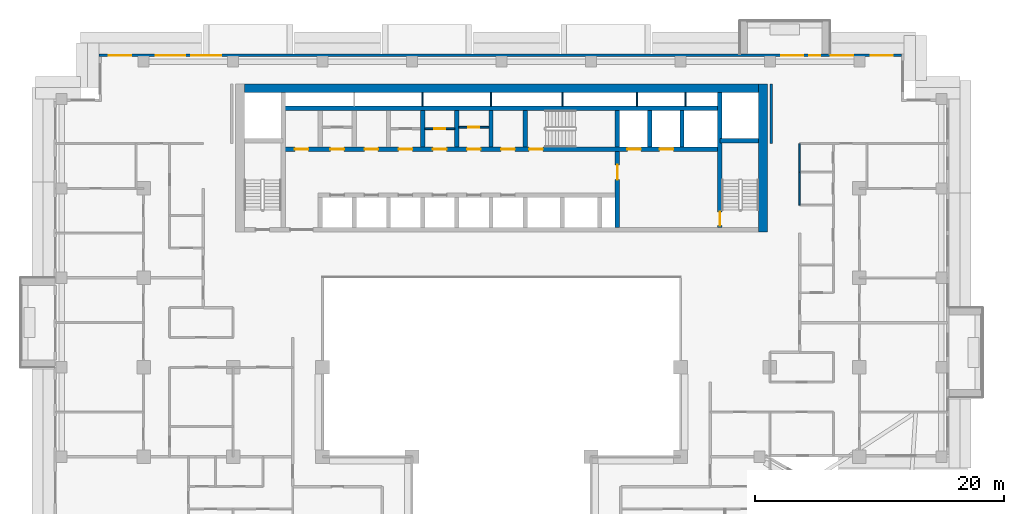
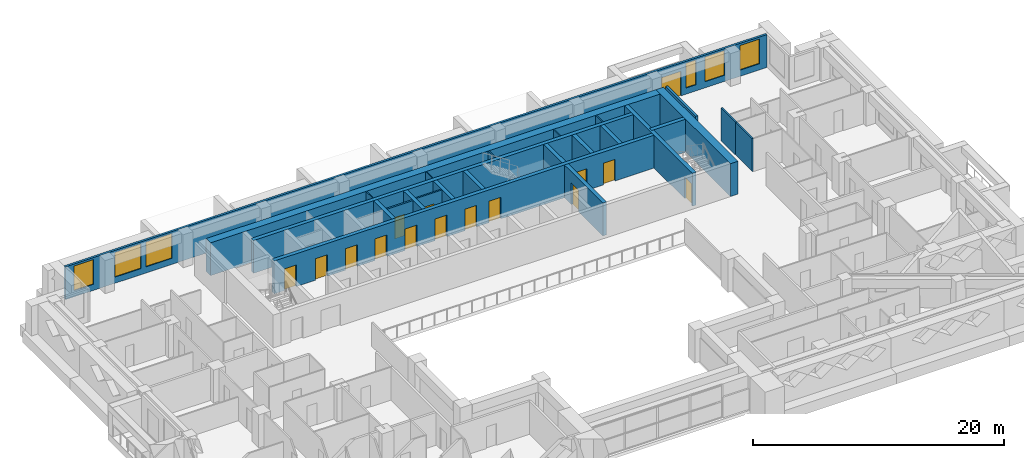
# One storey, part 10 of 19: 25 walls, 15 doors, 6 windows, 21 openings.
"""IFC4 building model written with IfcOpenShell, lengths in metres."""

from ifc_helpers import new_model, si_unit, direction, frame, frame_2d, origin, place, context, subcontext, project, spatial, rectangle, extrude, material, layer, layer_set, type_object, element, fill, save


model = new_model("IFC4")

# Units and contexts
model_context = context("Model", 3, precision=1e-05, world=origin(), true_north=direction((0.0, 1.0)))
body_context = subcontext(model_context, "Body", "Model", "MODEL_VIEW")
ifc_project = project(units=[si_unit("LENGTHUNIT", "METRE"), si_unit("AREAUNIT", "SQUARE_METRE"), si_unit("VOLUMEUNIT", "CUBIC_METRE"), si_unit("PLANEANGLEUNIT", "RADIAN"), si_unit("MASSUNIT", "GRAM", prefix="KILO")], contexts=[model_context])

# Site, building, storey
site_placement = place(None, origin())
site = spatial("IfcSite", under=ifc_project, at=site_placement, CompositionType="ELEMENT")
building_placement = place(site_placement, origin())
building = spatial("IfcBuilding", under=site, at=building_placement, Name="Saffron Iwan Residences", CompositionType="ELEMENT")
storey_placement = place(building_placement, frame((0.0, 0.0, 120.0)))
storey = spatial("IfcBuildingStorey", under=building, at=storey_placement, Name="L31", CompositionType="ELEMENT", Elevation=120.0)

# Wall, opening, door
ifc_material_1 = material(Name="Fire-rated plasterboard partition")
ifc_layer_1 = layer(ifc_material_1, 0.14990234375)
ifc_layer_set_1 = layer_set([ifc_layer_1], Name="Fire-rated plasterboard partition")
wall_type_1 = type_object("IfcWallType", Name="Core partition 150", PredefinedType="PARTITIONING", material=ifc_layer_set_1)
wall_1_placement = place(storey_placement, frame((44.22509765625, 74.39990234375, 0.0), z_axis=(0.0, 0.0, 1.0), x_axis=(1.0, 0.0, 0.0)))
wall_1 = element("IfcWall", 1, at=wall_1_placement, inside=storey, type_object=wall_type_1, Name="Core partition P03", PredefinedType="PARTITIONING", context=body_context, shape_type="SweptSolid", body=[
    extrude(rectangle(XDim=2.39990234375, YDim=0.14990234375, at=frame_2d((1.199951171875, 0.0))), origin(), (0.0, 0.0, 1.0), 3.199951171875),
])
opening_1_placement = place(wall_1_placement, frame((0.75, 0.0, 0.0)))
opening_1 = element("IfcOpeningElement", 2, at=opening_1_placement, cuts=wall_1, Name="Opening SB", PredefinedType="OPENING", context=body_context, shape_type="SweptSolid", body=[
    extrude(rectangle(XDim=0.89990234375, YDim=2.10009765625, at=frame_2d((0.449951171875, 1.050048828125))), frame((0.0, 0.0849609375, 0.0), z_axis=(0.0, -1.0, 0.0), x_axis=(1.0, 0.0, 0.0)), (0.0, 0.0, 1.0), 0.169921875),
])
ifc_material_2 = material(Name="Steel fire door", Category="steel")
door_type_1 = type_object("IfcDoorType", Name="Store door 900", OperationType="NOTDEFINED", PredefinedType="DOOR", material=ifc_material_2)
door_1_placement = place(opening_1_placement, origin())
door_1 = element("IfcDoor", 3, at=door_1_placement, inside=storey, type_object=door_type_1, Name="Door Cabling room", OperationType="SINGLE_SWING_RIGHT", OverallHeight=2.10009765625, OverallWidth=0.89990234375, PredefinedType="DOOR", context=body_context, shape_type="SweptSolid", body=[
    extrude(rectangle(XDim=0.89990234375, YDim=2.10009765625, at=frame_2d((0.449951171875, 1.050048828125))), frame((0.0, 0.02490234375, 0.0), z_axis=(0.0, -1.0, 0.0), x_axis=(1.0, 0.0, 0.0)), (0.0, 0.0, 1.0), 0.050048828125),
])
fill(opening_1, door_1)

wall_2_placement = place(storey_placement, frame((46.97509765625, 74.51806640625, 0.0), z_axis=(0.0, 0.0, 1.0), x_axis=(1.0, 0.0, 0.0)))
wall_2 = element("IfcWall", 4, at=wall_2_placement, inside=storey, type_object=wall_type_1, Name="Core partition P04", PredefinedType="PARTITIONING", context=body_context, shape_type="SweptSolid", body=[
    extrude(rectangle(XDim=2.39990234375, YDim=0.14990234375, at=frame_2d((1.199951171875, 0.0))), origin(), (0.0, 0.0, 1.0), 3.199951171875),
])
opening_2_placement = place(wall_2_placement, frame((0.75, 0.0, 0.0)))
opening_2 = element("IfcOpeningElement", 5, at=opening_2_placement, cuts=wall_2, Name="Opening SB", PredefinedType="OPENING", context=body_context, shape_type="SweptSolid", body=[
    extrude(rectangle(XDim=0.89990234375, YDim=2.10009765625, at=frame_2d((0.449951171875, 1.050048828125))), frame((0.0, 0.0849609375, 0.0), z_axis=(0.0, -1.0, 0.0), x_axis=(1.0, 0.0, 0.0)), (0.0, 0.0, 1.0), 0.169921875),
])
door_2_placement = place(opening_2_placement, origin())
door_2 = element("IfcDoor", 6, at=door_2_placement, inside=storey, type_object=door_type_1, Name="Door Equipment store", OperationType="SINGLE_SWING_RIGHT", OverallHeight=2.10009765625, OverallWidth=0.89990234375, PredefinedType="DOOR", context=body_context, shape_type="SweptSolid", body=[
    extrude(rectangle(XDim=0.89990234375, YDim=2.10009765625, at=frame_2d((0.449951171875, 1.050048828125))), frame((0.0, 0.02490234375, 0.0), z_axis=(0.0, -1.0, 0.0), x_axis=(1.0, 0.0, 0.0)), (0.0, 0.0, 1.0), 0.050048828125),
])
fill(opening_2, door_2)

# Wall, openings, door, windows
ifc_material_3 = material(Name="Concrete C40/50", Category="concrete")
ifc_layer_2 = layer(ifc_material_3, 0.199951171875)
ifc_layer_set_2 = layer_set([ifc_layer_2], Name="Concrete C40/50")
wall_type_2 = type_object("IfcWallType", Name="EXTERNAL WALL 200", PredefinedType="SOLIDWALL", material=ifc_layer_set_2)
wall_3_placement = place(storey_placement, frame((82.60009765625, 80.300048828125, 0.0), z_axis=(0.0, 0.0, 1.0), x_axis=(-1.0, 0.0, 0.0)))
wall_3 = element("IfcWall", 7, at=wall_3_placement, inside=storey, type_object=wall_type_2, Name="External wall L31 F5.0", PredefinedType="SOLIDWALL", context=body_context, shape_type="SweptSolid", body=[
    extrude(rectangle(XDim=64.60009765625, YDim=0.199951171875, at=frame_2d((32.300048828125, 0.0))), origin(), (0.0, 0.0, 1.0), 3.199951171875),
])
opening_3_placement = place(wall_3_placement, frame((7.89990234375, 0.0, 0.0)))
opening_3 = element("IfcOpeningElement", 8, at=opening_3_placement, cuts=wall_3, Name="Opening BD1", PredefinedType="OPENING", context=body_context, shape_type="SweptSolid", body=[
    extrude(rectangle(XDim=1.800048828125, YDim=2.39990234375, at=frame_2d((0.89990234375, 1.199951171875))), frame((0.0, 0.10986328125, 0.0), z_axis=(0.0, -1.0, 0.0), x_axis=(1.0, 0.0, 0.0)), (0.0, 0.0, 1.0), 0.219970703125),
])
opening_4_placement = place(wall_3_placement, frame((54.7666015625, 0.0, 0.60009765625)))
opening_4 = element("IfcOpeningElement", 9, at=opening_4_placement, cuts=wall_3, Name="Opening W1", PredefinedType="OPENING", context=body_context, shape_type="SweptSolid", body=[
    extrude(rectangle(XDim=2.39990234375, YDim=2.39990234375, at=frame_2d((1.199951171875, 1.199951171875))), frame((0.0, 0.10986328125, 0.0), z_axis=(0.0, -1.0, 0.0), x_axis=(1.0, 0.0, 0.0)), (0.0, 0.0, 1.0), 0.219970703125),
])
opening_5_placement = place(wall_3_placement, frame((57.63330078125, 0.0, 0.60009765625)))
opening_5 = element("IfcOpeningElement", 10, at=opening_5_placement, cuts=wall_3, Name="Opening W1", PredefinedType="OPENING", context=body_context, shape_type="SweptSolid", body=[
    extrude(rectangle(XDim=2.39990234375, YDim=2.39990234375, at=frame_2d((1.199951171875, 1.199951171875))), frame((0.0, 0.10986328125, 0.0), z_axis=(0.0, -1.0, 0.0), x_axis=(1.0, 0.0, 0.0)), (0.0, 0.0, 1.0), 0.219970703125),
])
opening_6_placement = place(wall_3_placement, frame((62.0, 0.0, 0.60009765625)))
opening_6 = element("IfcOpeningElement", 11, at=opening_6_placement, cuts=wall_3, Name="Opening W8", PredefinedType="OPENING", context=body_context, shape_type="SweptSolid", body=[
    extrude(rectangle(XDim=1.800048828125, YDim=2.39990234375, at=frame_2d((0.89990234375, 1.199951171875))), frame((0.0, 0.10986328125, 0.0), z_axis=(0.0, -1.0, 0.0), x_axis=(1.0, 0.0, 0.0)), (0.0, 0.0, 1.0), 0.219970703125),
])
opening_7_placement = place(wall_3_placement, frame((0.699951171875, 0.0, 0.60009765625)))
opening_7 = element("IfcOpeningElement", 12, at=opening_7_placement, cuts=wall_3, Name="Opening W8", PredefinedType="OPENING", context=body_context, shape_type="SweptSolid", body=[
    extrude(rectangle(XDim=1.800048828125, YDim=2.39990234375, at=frame_2d((0.89990234375, 1.199951171875))), frame((0.0, 0.10986328125, 0.0), z_axis=(0.0, -1.0, 0.0), x_axis=(1.0, 0.0, 0.0)), (0.0, 0.0, 1.0), 0.219970703125),
])
opening_8_placement = place(wall_3_placement, frame((3.89990234375, 0.0, 0.60009765625)))
opening_8 = element("IfcOpeningElement", 13, at=opening_8_placement, cuts=wall_3, Name="Opening W8", PredefinedType="OPENING", context=body_context, shape_type="SweptSolid", body=[
    extrude(rectangle(XDim=1.800048828125, YDim=2.39990234375, at=frame_2d((0.89990234375, 1.199951171875))), frame((0.0, 0.10986328125, 0.0), z_axis=(0.0, -1.0, 0.0), x_axis=(1.0, 0.0, 0.0)), (0.0, 0.0, 1.0), 0.219970703125),
])
opening_9_placement = place(wall_3_placement, frame((6.550048828125, 0.0, 0.60009765625)))
opening_9 = element("IfcOpeningElement", 14, at=opening_9_placement, cuts=wall_3, Name="Opening W10", PredefinedType="OPENING", context=body_context, shape_type="SweptSolid", body=[
    extrude(rectangle(XDim=0.89990234375, YDim=2.39990234375, at=frame_2d((0.449951171875, 1.199951171875))), frame((0.0, 0.10986328125, 0.0), z_axis=(0.0, -1.0, 0.0), x_axis=(1.0, 0.0, 0.0)), (0.0, 0.0, 1.0), 0.219970703125),
])
ifc_material_4 = material(Name="Clear glass, laminated double glazed", Category="glass")
door_type_2 = type_object("IfcDoorType", Name="BALCONY DOOR 1800 x 2400", OperationType="DOUBLE_DOOR_SLIDING", PredefinedType="DOOR", material=ifc_material_4)
door_3_placement = place(opening_3_placement, origin())
door_3 = element("IfcDoor", 15, at=door_3_placement, inside=storey, type_object=door_type_2, Name="Balcony door L31 F5.0", OperationType="DOUBLE_DOOR_SLIDING", OverallHeight=2.39990234375, OverallWidth=1.800048828125, PredefinedType="DOOR", context=body_context, shape_type="SweptSolid", body=[
    extrude(rectangle(XDim=1.800048828125, YDim=2.39990234375, at=frame_2d((0.89990234375, 1.199951171875))), frame((0.0, 0.02490234375, 0.0), z_axis=(0.0, -1.0, 0.0), x_axis=(1.0, 0.0, 0.0)), (0.0, 0.0, 1.0), 0.050048828125),
])
fill(opening_3, door_3)
window_type_1 = type_object("IfcWindowType", Name="WINDOW 1800 x 2400", PartitioningType="DOUBLE_PANEL_VERTICAL", PredefinedType="WINDOW", material=ifc_material_4)
window_1_placement = place(opening_6_placement, origin())
window_1 = element("IfcWindow", 16, at=window_1_placement, inside=storey, type_object=window_type_1, Name="Window L31 F5.3", OverallHeight=2.39990234375, OverallWidth=1.800048828125, PartitioningType="DOUBLE_PANEL_VERTICAL", PredefinedType="WINDOW", context=body_context, shape_type="SweptSolid", body=[
    extrude(rectangle(XDim=1.800048828125, YDim=2.39990234375, at=frame_2d((0.89990234375, 1.199951171875))), frame((0.0, 0.030029296875, 0.0), z_axis=(0.0, -1.0, 0.0), x_axis=(1.0, 0.0, 0.0)), (0.0, 0.0, 1.0), 0.06005859375),
])
fill(opening_6, window_1)
window_2_placement = place(opening_7_placement, origin())
window_2 = element("IfcWindow", 17, at=window_2_placement, inside=storey, type_object=window_type_1, Name="Window L31 F5.4", OverallHeight=2.39990234375, OverallWidth=1.800048828125, PartitioningType="DOUBLE_PANEL_VERTICAL", PredefinedType="WINDOW", context=body_context, shape_type="SweptSolid", body=[
    extrude(rectangle(XDim=1.800048828125, YDim=2.39990234375, at=frame_2d((0.89990234375, 1.199951171875))), frame((0.0, 0.030029296875, 0.0), z_axis=(0.0, -1.0, 0.0), x_axis=(1.0, 0.0, 0.0)), (0.0, 0.0, 1.0), 0.06005859375),
])
fill(opening_7, window_2)
window_3_placement = place(opening_8_placement, origin())
window_3 = element("IfcWindow", 18, at=window_3_placement, inside=storey, type_object=window_type_1, Name="Window L31 F5.5", OverallHeight=2.39990234375, OverallWidth=1.800048828125, PartitioningType="DOUBLE_PANEL_VERTICAL", PredefinedType="WINDOW", context=body_context, shape_type="SweptSolid", body=[
    extrude(rectangle(XDim=1.800048828125, YDim=2.39990234375, at=frame_2d((0.89990234375, 1.199951171875))), frame((0.0, 0.030029296875, 0.0), z_axis=(0.0, -1.0, 0.0), x_axis=(1.0, 0.0, 0.0)), (0.0, 0.0, 1.0), 0.06005859375),
])
fill(opening_8, window_3)
window_type_2 = type_object("IfcWindowType", Name="WINDOW 2400 x 2400", PartitioningType="DOUBLE_PANEL_VERTICAL", PredefinedType="WINDOW", material=ifc_material_4)
window_4_placement = place(opening_4_placement, origin())
window_4 = element("IfcWindow", 19, at=window_4_placement, inside=storey, type_object=window_type_2, Name="Window L31 F5.1", OverallHeight=2.39990234375, OverallWidth=2.39990234375, PartitioningType="DOUBLE_PANEL_VERTICAL", PredefinedType="WINDOW", context=body_context, shape_type="SweptSolid", body=[
    extrude(rectangle(XDim=2.39990234375, YDim=2.39990234375, at=frame_2d((1.199951171875, 1.199951171875))), frame((0.0, 0.030029296875, 0.0), z_axis=(0.0, -1.0, 0.0), x_axis=(1.0, 0.0, 0.0)), (0.0, 0.0, 1.0), 0.06005859375),
])
fill(opening_4, window_4)
window_5_placement = place(opening_5_placement, origin())
window_5 = element("IfcWindow", 20, at=window_5_placement, inside=storey, type_object=window_type_2, Name="Window L31 F5.2", OverallHeight=2.39990234375, OverallWidth=2.39990234375, PartitioningType="DOUBLE_PANEL_VERTICAL", PredefinedType="WINDOW", context=body_context, shape_type="SweptSolid", body=[
    extrude(rectangle(XDim=2.39990234375, YDim=2.39990234375, at=frame_2d((1.199951171875, 1.199951171875))), frame((0.0, 0.030029296875, 0.0), z_axis=(0.0, -1.0, 0.0), x_axis=(1.0, 0.0, 0.0)), (0.0, 0.0, 1.0), 0.06005859375),
])
fill(opening_5, window_5)
window_type_3 = type_object("IfcWindowType", Name="WINDOW 900 x 2400", PartitioningType="SINGLE_PANEL", PredefinedType="WINDOW", material=ifc_material_4)
window_6_placement = place(opening_9_placement, origin())
window_6 = element("IfcWindow", 21, at=window_6_placement, inside=storey, type_object=window_type_3, Name="Window L31 F5.6", OverallHeight=2.39990234375, OverallWidth=0.89990234375, PartitioningType="SINGLE_PANEL", PredefinedType="WINDOW", context=body_context, shape_type="SweptSolid", body=[
    extrude(rectangle(XDim=0.89990234375, YDim=2.39990234375, at=frame_2d((0.449951171875, 1.199951171875))), frame((0.0, 0.030029296875, 0.0), z_axis=(0.0, -1.0, 0.0), x_axis=(1.0, 0.0, 0.0)), (0.0, 0.0, 1.0), 0.06005859375),
])
fill(opening_9, window_6)

# Walls
ifc_material_5 = material(Name="Gypsum board partition")
ifc_layer_3 = layer(ifc_material_5, 0.1201171875)
ifc_layer_set_3 = layer_set([ifc_layer_3], Name="Gypsum board partition")
wall_type_3 = type_object("IfcWallType", Name="Flat partition 120", PredefinedType="PARTITIONING", material=ifc_layer_set_3)
wall_4_placement = place(storey_placement, frame((74.39990234375, 68.25, 0.0), z_axis=(0.0, 0.0, 1.0), x_axis=(0.0, 1.0, 0.0)))
element("IfcWall", 22, at=wall_4_placement, inside=storey, type_object=wall_type_3, Name="W-L31-PART-v74.4-68.25", PredefinedType="PARTITIONING", context=body_context, shape_type="SweptSolid", body=[
    extrude(rectangle(XDim=2.64990234375, YDim=0.1201171875, at=frame_2d((1.324951171875, 0.0))), origin(), (0.0, 0.0, 1.0), 3.199951171875),
])
wall_5_placement = place(storey_placement, frame((74.39990234375, 70.89990234375, 0.0), z_axis=(0.0, 0.0, 1.0), x_axis=(0.0, 1.0, 0.0)))
element("IfcWall", 23, at=wall_5_placement, inside=storey, type_object=wall_type_3, Name="W-L31-PART-v74.4-70.9", PredefinedType="PARTITIONING", context=body_context, shape_type="SweptSolid", body=[
    extrude(rectangle(XDim=2.300048828125, YDim=0.1201171875, at=frame_2d((1.14990234375, 0.0))), origin(), (0.0, 0.0, 1.0), 3.199951171875),
])
ifc_material_6 = material(Name="Fire-rated gypsum board wall")
ifc_layer_4 = layer(ifc_material_6, 0.199951171875)
ifc_layer_set_4 = layer_set([ifc_layer_4], Name="Fire-rated gypsum board wall")
wall_type_4 = type_object("IfcWallType", Name="Gallery wall 200", PredefinedType="SOLIDWALL", material=ifc_layer_set_4)
wall_6_placement = place(storey_placement, frame((72.10009765625, 73.199951171875, 0.0), z_axis=(0.0, 0.0, 1.0), x_axis=(0.0, 1.0, 0.0)))
element("IfcWall", 24, at=wall_6_placement, inside=storey, type_object=wall_type_4, Name="W-L31-CORR-v72-73.2", PredefinedType="SOLIDWALL", context=body_context, shape_type="SweptSolid", body=[
    extrude(rectangle(XDim=4.800048828125, YDim=0.199951171875, at=frame_2d((2.39990234375, 0.0))), origin(), (0.0, 0.0, 1.0), 3.199951171875),
])
ifc_layer_5 = layer(ifc_material_1, 0.10009765625)
ifc_layer_set_5 = layer_set([ifc_layer_5], Name="Fire-rated plasterboard partition")
wall_type_5 = type_object("IfcWallType", Name="Riser partition 100", PredefinedType="PARTITIONING", material=ifc_layer_set_5)
for number, where, z_axis, x_axis, name in (
    (25, (44.050048828125, 76.22509765625, 0.0), (0.0, 0.0, 1.0), (0.0, 1.0, 0.0), "Core partition P06"),
    (26, (49.550048828125, 76.22509765625, 0.0), (0.0, 0.0, 1.0), (0.0, 1.0, 0.0), "Core partition P07"),
    (27, (55.300048828125, 76.22509765625, 0.0), (0.0, 0.0, 1.0), (0.0, 1.0, 0.0), "Core partition P08"),
    (28, (61.300048828125, 76.22509765625, 0.0), (0.0, 0.0, 1.0), (0.0, 1.0, 0.0), "Core partition P09"),
    (29, (65.199951171875, 76.22509765625, 0.0), (0.0, 0.0, 1.0), (0.0, 1.0, 0.0), "Core partition P10"),
):
    element("IfcWall", number, at=place(storey_placement, frame(where, z_axis=z_axis, x_axis=x_axis)), inside=storey, type_object=wall_type_5, Name=name, PredefinedType="PARTITIONING", context=body_context, shape_type="SweptSolid", body=[
        extrude(rectangle(XDim=1.074951171875, YDim=0.10009765625, at=frame_2d((0.53759765625, 0.0))), origin(), (0.0, 0.0, 1.0), 3.199951171875),
    ])

# Wall, openings, doors
ifc_material_7 = material(Name="Concrete C50/60", Category="concrete")
ifc_layer_6 = layer(ifc_material_7, 0.35009765625)
ifc_layer_set_6 = layer_set([ifc_layer_6], Name="Concrete C50/60")
wall_type_6 = type_object("IfcWallType", Name="WALL CORE 350 C50/60 3200 HIGH", PredefinedType="SHEAR", material=ifc_layer_set_6)
wall_7_placement = place(storey_placement, frame((32.824951171875, 72.75, 0.0), z_axis=(0.0, 0.0, 1.0), x_axis=(1.0, 0.0, 0.0)))
wall_7 = element("IfcWall", 30, at=wall_7_placement, inside=storey, type_object=wall_type_6, Name="Core wall", PredefinedType="SHEAR", context=body_context, shape_type="SweptSolid", body=[
    extrude(rectangle(XDim=35.150146484375, YDim=0.35009765625, at=frame_2d((17.5751953125, 0.0))), origin(), (0.0, 0.0, 1.0), 3.199951171875),
])
opening_10_placement = place(wall_7_placement, frame((19.800048828125, 0.0, 0.0)))
opening_10 = element("IfcOpeningElement", 31, at=opening_10_placement, cuts=wall_7, Name="Opening SD", PredefinedType="OPENING", context=body_context, shape_type="SweptSolid", body=[
    extrude(rectangle(XDim=1.10009765625, YDim=2.10009765625, at=frame_2d((0.550048828125, 1.050048828125))), frame((0.0, 0.18505859375, 0.0), z_axis=(0.0, -1.0, 0.0), x_axis=(1.0, 0.0, 0.0)), (0.0, 0.0, 1.0), 0.3701171875),
])
opening_11_placement = place(wall_7_placement, frame((27.699951171875, 0.0, 0.0)))
opening_11 = element("IfcOpeningElement", 32, at=opening_11_placement, cuts=wall_7, Name="Opening LD", PredefinedType="OPENING", context=body_context, shape_type="SweptSolid", body=[
    extrude(rectangle(XDim=1.10009765625, YDim=2.10009765625, at=frame_2d((0.550048828125, 1.050048828125))), frame((0.0, 0.18505859375, 0.0), z_axis=(0.0, -1.0, 0.0), x_axis=(1.0, 0.0, 0.0)), (0.0, 0.0, 1.0), 0.3701171875),
])
opening_12_placement = place(wall_7_placement, frame((30.300048828125, 0.0, 0.0)))
opening_12 = element("IfcOpeningElement", 33, at=opening_12_placement, cuts=wall_7, Name="Opening LD", PredefinedType="OPENING", context=body_context, shape_type="SweptSolid", body=[
    extrude(rectangle(XDim=1.10009765625, YDim=2.10009765625, at=frame_2d((0.550048828125, 1.050048828125))), frame((0.0, 0.18505859375, 0.0), z_axis=(0.0, -1.0, 0.0), x_axis=(1.0, 0.0, 0.0)), (0.0, 0.0, 1.0), 0.3701171875),
])
opening_13_placement = place(wall_7_placement, frame((3.800048828125, 0.0, 0.0)))
opening_13 = element("IfcOpeningElement", 34, at=opening_13_placement, cuts=wall_7, Name="Opening SR", PredefinedType="OPENING", context=body_context, shape_type="SweptSolid", body=[
    extrude(rectangle(XDim=1.10009765625, YDim=2.10009765625, at=frame_2d((0.550048828125, 1.050048828125))), frame((0.0, 0.18505859375, 0.0), z_axis=(0.0, -1.0, 0.0), x_axis=(1.0, 0.0, 0.0)), (0.0, 0.0, 1.0), 0.3701171875),
])
opening_14_placement = place(wall_7_placement, frame((6.550048828125, 0.0, 0.0)))
opening_14 = element("IfcOpeningElement", 35, at=opening_14_placement, cuts=wall_7, Name="Opening SR", PredefinedType="OPENING", context=body_context, shape_type="SweptSolid", body=[
    extrude(rectangle(XDim=1.10009765625, YDim=2.10009765625, at=frame_2d((0.550048828125, 1.050048828125))), frame((0.0, 0.18505859375, 0.0), z_axis=(0.0, -1.0, 0.0), x_axis=(1.0, 0.0, 0.0)), (0.0, 0.0, 1.0), 0.3701171875),
])
opening_15_placement = place(wall_7_placement, frame((9.300048828125, 0.0, 0.0)))
opening_15 = element("IfcOpeningElement", 36, at=opening_15_placement, cuts=wall_7, Name="Opening SR", PredefinedType="OPENING", context=body_context, shape_type="SweptSolid", body=[
    extrude(rectangle(XDim=1.10009765625, YDim=2.10009765625, at=frame_2d((0.550048828125, 1.050048828125))), frame((0.0, 0.18505859375, 0.0), z_axis=(0.0, -1.0, 0.0), x_axis=(1.0, 0.0, 0.0)), (0.0, 0.0, 1.0), 0.3701171875),
])
opening_16_placement = place(wall_7_placement, frame((12.050048828125, 0.0, 0.0)))
opening_16 = element("IfcOpeningElement", 37, at=opening_16_placement, cuts=wall_7, Name="Opening SR", PredefinedType="OPENING", context=body_context, shape_type="SweptSolid", body=[
    extrude(rectangle(XDim=1.10009765625, YDim=2.10009765625, at=frame_2d((0.550048828125, 1.050048828125))), frame((0.0, 0.18505859375, 0.0), z_axis=(0.0, -1.0, 0.0), x_axis=(1.0, 0.0, 0.0)), (0.0, 0.0, 1.0), 0.3701171875),
])
opening_17_placement = place(wall_7_placement, frame((14.800048828125, 0.0, 0.0)))
opening_17 = element("IfcOpeningElement", 38, at=opening_17_placement, cuts=wall_7, Name="Opening SR", PredefinedType="OPENING", context=body_context, shape_type="SweptSolid", body=[
    extrude(rectangle(XDim=1.10009765625, YDim=2.10009765625, at=frame_2d((0.550048828125, 1.050048828125))), frame((0.0, 0.18505859375, 0.0), z_axis=(0.0, -1.0, 0.0), x_axis=(1.0, 0.0, 0.0)), (0.0, 0.0, 1.0), 0.3701171875),
])
opening_18_placement = place(wall_7_placement, frame((17.550048828125, 0.0, 0.0)))
opening_18 = element("IfcOpeningElement", 39, at=opening_18_placement, cuts=wall_7, Name="Opening SR", PredefinedType="OPENING", context=body_context, shape_type="SweptSolid", body=[
    extrude(rectangle(XDim=1.10009765625, YDim=2.10009765625, at=frame_2d((0.550048828125, 1.050048828125))), frame((0.0, 0.18505859375, 0.0), z_axis=(0.0, -1.0, 0.0), x_axis=(1.0, 0.0, 0.0)), (0.0, 0.0, 1.0), 0.3701171875),
])
opening_19_placement = place(wall_7_placement, frame((0.9375, 0.0, 0.0)))
opening_19 = element("IfcOpeningElement", 40, at=opening_19_placement, cuts=wall_7, Name="Opening SR", PredefinedType="OPENING", context=body_context, shape_type="SweptSolid", body=[
    extrude(rectangle(XDim=1.10009765625, YDim=2.10009765625, at=frame_2d((0.550048828125, 1.050048828125))), frame((0.0, 0.18505859375, 0.0), z_axis=(0.0, -1.0, 0.0), x_axis=(1.0, 0.0, 0.0)), (0.0, 0.0, 1.0), 0.3701171875),
])
door_type_3 = type_object("IfcDoorType", Name="Lift landing door 1100", OperationType="SLIDING_TO_LEFT", PredefinedType="DOOR", material=ifc_material_2)
door_4_placement = place(opening_11_placement, origin())
door_4 = element("IfcDoor", 41, at=door_4_placement, inside=storey, type_object=door_type_3, Name="Landing doors FF1", OperationType="SLIDING_TO_LEFT", OverallHeight=2.10009765625, OverallWidth=1.10009765625, PredefinedType="DOOR", context=body_context, shape_type="SweptSolid", body=[
    extrude(rectangle(XDim=1.10009765625, YDim=2.10009765625, at=frame_2d((0.550048828125, 1.050048828125))), frame((0.0, 0.02490234375, 0.0), z_axis=(0.0, -1.0, 0.0), x_axis=(1.0, 0.0, 0.0)), (0.0, 0.0, 1.0), 0.050048828125),
])
fill(opening_11, door_4)
door_5_placement = place(opening_12_placement, origin())
door_5 = element("IfcDoor", 42, at=door_5_placement, inside=storey, type_object=door_type_3, Name="Landing doors FF2", OperationType="SLIDING_TO_LEFT", OverallHeight=2.10009765625, OverallWidth=1.10009765625, PredefinedType="DOOR", context=body_context, shape_type="SweptSolid", body=[
    extrude(rectangle(XDim=1.10009765625, YDim=2.10009765625, at=frame_2d((0.550048828125, 1.050048828125))), frame((0.0, 0.02490234375, 0.0), z_axis=(0.0, -1.0, 0.0), x_axis=(1.0, 0.0, 0.0)), (0.0, 0.0, 1.0), 0.050048828125),
])
fill(opening_12, door_5)
door_type_4 = type_object("IfcDoorType", Name="Service door 1100", OperationType="NOTDEFINED", PredefinedType="DOOR", material=ifc_material_2)
door_6_placement = place(opening_13_placement, origin())
door_6 = element("IfcDoor", 43, at=door_6_placement, inside=storey, type_object=door_type_4, Name="Door Electrical room", OperationType="SINGLE_SWING_LEFT", OverallHeight=2.10009765625, OverallWidth=1.10009765625, PredefinedType="DOOR", context=body_context, shape_type="SweptSolid", body=[
    extrude(rectangle(XDim=1.10009765625, YDim=2.10009765625, at=frame_2d((0.550048828125, 1.050048828125))), frame((0.0, 0.02490234375, 0.0), z_axis=(0.0, -1.0, 0.0), x_axis=(1.0, 0.0, 0.0)), (0.0, 0.0, 1.0), 0.050048828125),
])
fill(opening_13, door_6)
door_7_placement = place(opening_14_placement, origin())
door_7 = element("IfcDoor", 44, at=door_7_placement, inside=storey, type_object=door_type_4, Name="Door Luggage store", OperationType="SINGLE_SWING_RIGHT", OverallHeight=2.10009765625, OverallWidth=1.10009765625, PredefinedType="DOOR", context=body_context, shape_type="SweptSolid", body=[
    extrude(rectangle(XDim=1.10009765625, YDim=2.10009765625, at=frame_2d((0.550048828125, 1.050048828125))), frame((0.0, 0.02490234375, 0.0), z_axis=(0.0, -1.0, 0.0), x_axis=(1.0, 0.0, 0.0)), (0.0, 0.0, 1.0), 0.050048828125),
])
fill(opening_14, door_7)
door_8_placement = place(opening_15_placement, origin())
door_8 = element("IfcDoor", 45, at=door_8_placement, inside=storey, type_object=door_type_4, Name="Door Refuse store", OperationType="SINGLE_SWING_LEFT", OverallHeight=2.10009765625, OverallWidth=1.10009765625, PredefinedType="DOOR", context=body_context, shape_type="SweptSolid", body=[
    extrude(rectangle(XDim=1.10009765625, YDim=2.10009765625, at=frame_2d((0.550048828125, 1.050048828125))), frame((0.0, 0.02490234375, 0.0), z_axis=(0.0, -1.0, 0.0), x_axis=(1.0, 0.0, 0.0)), (0.0, 0.0, 1.0), 0.050048828125),
])
fill(opening_15, door_8)
door_9_placement = place(opening_16_placement, origin())
door_9 = element("IfcDoor", 46, at=door_9_placement, inside=storey, type_object=door_type_4, Name="Door Maintenance store", OperationType="SINGLE_SWING_RIGHT", OverallHeight=2.10009765625, OverallWidth=1.10009765625, PredefinedType="DOOR", context=body_context, shape_type="SweptSolid", body=[
    extrude(rectangle(XDim=1.10009765625, YDim=2.10009765625, at=frame_2d((0.550048828125, 1.050048828125))), frame((0.0, 0.02490234375, 0.0), z_axis=(0.0, -1.0, 0.0), x_axis=(1.0, 0.0, 0.0)), (0.0, 0.0, 1.0), 0.050048828125),
])
fill(opening_16, door_9)
door_10_placement = place(opening_17_placement, origin())
door_10 = element("IfcDoor", 47, at=door_10_placement, inside=storey, type_object=door_type_4, Name="Door Linen store", OperationType="SINGLE_SWING_LEFT", OverallHeight=2.10009765625, OverallWidth=1.10009765625, PredefinedType="DOOR", context=body_context, shape_type="SweptSolid", body=[
    extrude(rectangle(XDim=1.10009765625, YDim=2.10009765625, at=frame_2d((0.550048828125, 1.050048828125))), frame((0.0, 0.02490234375, 0.0), z_axis=(0.0, -1.0, 0.0), x_axis=(1.0, 0.0, 0.0)), (0.0, 0.0, 1.0), 0.050048828125),
])
fill(opening_17, door_10)
door_11_placement = place(opening_18_placement, origin())
door_11 = element("IfcDoor", 48, at=door_11_placement, inside=storey, type_object=door_type_4, Name="Door Pantry", OperationType="SINGLE_SWING_RIGHT", OverallHeight=2.10009765625, OverallWidth=1.10009765625, PredefinedType="DOOR", context=body_context, shape_type="SweptSolid", body=[
    extrude(rectangle(XDim=1.10009765625, YDim=2.10009765625, at=frame_2d((0.550048828125, 1.050048828125))), frame((0.0, 0.02490234375, 0.0), z_axis=(0.0, -1.0, 0.0), x_axis=(1.0, 0.0, 0.0)), (0.0, 0.0, 1.0), 0.050048828125),
])
fill(opening_18, door_11)
door_12_placement = place(opening_19_placement, origin())
door_12 = element("IfcDoor", 49, at=door_12_placement, inside=storey, type_object=door_type_4, Name="Door Cleaner's store", OperationType="SINGLE_SWING_LEFT", OverallHeight=2.10009765625, OverallWidth=1.10009765625, PredefinedType="DOOR", context=body_context, shape_type="SweptSolid", body=[
    extrude(rectangle(XDim=1.10009765625, YDim=2.10009765625, at=frame_2d((0.550048828125, 1.050048828125))), frame((0.0, 0.02490234375, 0.0), z_axis=(0.0, -1.0, 0.0), x_axis=(1.0, 0.0, 0.0)), (0.0, 0.0, 1.0), 0.050048828125),
])
fill(opening_19, door_12)
door_type_5 = type_object("IfcDoorType", Name="Stair door 1100", OperationType="NOTDEFINED", PredefinedType="DOOR", material=ifc_material_2)
door_13_placement = place(opening_10_placement, origin())
door_13 = element("IfcDoor", 50, at=door_13_placement, inside=storey, type_object=door_type_5, Name="Stair door ST-C", OperationType="SINGLE_SWING_LEFT", OverallHeight=2.10009765625, OverallWidth=1.10009765625, PredefinedType="DOOR", context=body_context, shape_type="SweptSolid", body=[
    extrude(rectangle(XDim=1.10009765625, YDim=2.10009765625, at=frame_2d((0.550048828125, 1.050048828125))), frame((0.0, 0.02490234375, 0.0), z_axis=(0.0, -1.0, 0.0), x_axis=(1.0, 0.0, 0.0)), (0.0, 0.0, 1.0), 0.050048828125),
])
fill(opening_10, door_13)

# Walls
wall_8_placement = place(storey_placement, frame((32.824951171875, 76.050048828125, 0.0), z_axis=(0.0, 0.0, 1.0), x_axis=(1.0, 0.0, 0.0)))
element("IfcWall", 51, at=wall_8_placement, inside=storey, type_object=wall_type_6, Name="Core wall", PredefinedType="SHEAR", context=body_context, shape_type="SweptSolid", body=[
    extrude(rectangle(XDim=35.150146484375, YDim=0.35009765625, at=frame_2d((17.5751953125, 0.0))), origin(), (0.0, 0.0, 1.0), 3.199951171875),
])
wall_9_placement = place(storey_placement, frame((67.97509765625, 73.425048828125, 0.0), z_axis=(0.0, 0.0, 1.0), x_axis=(1.0, 0.0, 0.0)))
element("IfcWall", 52, at=wall_9_placement, inside=storey, type_object=wall_type_6, Name="Core wall", PredefinedType="SHEAR", context=body_context, shape_type="SweptSolid", body=[
    extrude(rectangle(XDim=3.125, YDim=0.35009765625, at=frame_2d((1.5625, 0.0))), origin(), (0.0, 0.0, 1.0), 3.199951171875),
])

# Wall, opening, door
wall_10_placement = place(storey_placement, frame((67.97509765625, 66.449951171875, 0.0), z_axis=(0.0, 0.0, 1.0), x_axis=(0.0, 1.0, 0.0)))
wall_10 = element("IfcWall", 53, at=wall_10_placement, inside=storey, type_object=wall_type_6, Name="Core wall", PredefinedType="SHEAR", context=body_context, shape_type="SweptSolid", body=[
    extrude(rectangle(XDim=10.85009765625, YDim=0.35009765625, at=frame_2d((5.425048828125, 0.0))), origin(), (0.0, 0.0, 1.0), 3.199951171875),
])
opening_20_placement = place(wall_10_placement, frame((0.14990234375, 0.0, 0.0)))
opening_20 = element("IfcOpeningElement", 54, at=opening_20_placement, cuts=wall_10, Name="Opening SD", PredefinedType="OPENING", context=body_context, shape_type="SweptSolid", body=[
    extrude(rectangle(XDim=1.10009765625, YDim=2.10009765625, at=frame_2d((0.550048828125, 1.050048828125))), frame((0.0, 0.18505859375, 0.0), z_axis=(0.0, -1.0, 0.0), x_axis=(1.0, 0.0, 0.0)), (0.0, 0.0, 1.0), 0.3701171875),
])
door_14_placement = place(opening_20_placement, origin())
door_14 = element("IfcDoor", 55, at=door_14_placement, inside=storey, type_object=door_type_5, Name="Stair door ST-E", OperationType="SINGLE_SWING_LEFT", OverallHeight=2.10009765625, OverallWidth=1.10009765625, PredefinedType="DOOR", context=body_context, shape_type="SweptSolid", body=[
    extrude(rectangle(XDim=1.10009765625, YDim=2.10009765625, at=frame_2d((0.550048828125, 1.050048828125))), frame((0.0, 0.02490234375, 0.0), z_axis=(0.0, -1.0, 0.0), x_axis=(1.0, 0.0, 0.0)), (0.0, 0.0, 1.0), 0.050048828125),
])
fill(opening_20, door_14)

wall_11_placement = place(storey_placement, frame((59.72509765625, 66.449951171875, 0.0), z_axis=(0.0, 0.0, 1.0), x_axis=(0.0, 1.0, 0.0)))
wall_11 = element("IfcWall", 56, at=wall_11_placement, inside=storey, type_object=wall_type_6, Name="Core wall", PredefinedType="SHEAR", context=body_context, shape_type="SweptSolid", body=[
    extrude(rectangle(XDim=6.125, YDim=0.35009765625, at=frame_2d((3.0625, 0.0))), origin(), (0.0, 0.0, 1.0), 3.199951171875),
])
opening_21_placement = place(wall_11_placement, frame((3.85009765625, 0.0, 0.0)))
opening_21 = element("IfcOpeningElement", 57, at=opening_21_placement, cuts=wall_11, Name="Opening FD", PredefinedType="OPENING", context=body_context, shape_type="SweptSolid", body=[
    extrude(rectangle(XDim=1.199951171875, YDim=2.10009765625, at=frame_2d((0.60009765625, 1.050048828125))), frame((0.0, 0.18505859375, 0.0), z_axis=(0.0, -1.0, 0.0), x_axis=(1.0, 0.0, 0.0)), (0.0, 0.0, 1.0), 0.3701171875),
])
door_type_6 = type_object("IfcDoorType", Name="Firefighting lobby door 1200", OperationType="NOTDEFINED", PredefinedType="DOOR", material=ifc_material_2)
door_15_placement = place(opening_21_placement, origin())
door_15 = element("IfcDoor", 58, at=door_15_placement, inside=storey, type_object=door_type_6, Name="Firefighting lobby door", OperationType="SINGLE_SWING_LEFT", OverallHeight=2.10009765625, OverallWidth=1.199951171875, PredefinedType="DOOR", context=body_context, shape_type="SweptSolid", body=[
    extrude(rectangle(XDim=1.199951171875, YDim=2.10009765625, at=frame_2d((0.60009765625, 1.050048828125))), frame((0.0, 0.02490234375, 0.0), z_axis=(0.0, -1.0, 0.0), x_axis=(1.0, 0.0, 0.0)), (0.0, 0.0, 1.0), 0.050048828125),
])
fill(opening_21, door_15)

# Walls
for number, where, z_axis, x_axis, name in (
    (59, (59.72509765625, 72.925048828125, 0.0), (0.0, 0.0, 1.0), (0.0, 1.0, 0.0), "Core wall"),
    (60, (44.050048828125, 72.925048828125, 0.0), (0.0, 0.0, 1.0), (0.0, 1.0, 0.0), "Core wall"),
    (61, (46.800048828125, 72.925048828125, 0.0), (0.0, 0.0, 1.0), (0.0, 1.0, 0.0), "Core wall"),
    (62, (49.550048828125, 72.925048828125, 0.0), (0.0, 0.0, 1.0), (0.0, 1.0, 0.0), "Core wall"),
    (63, (52.300048828125, 72.925048828125, 0.0), (0.0, 0.0, 1.0), (0.0, 1.0, 0.0), "Core wall"),
    (64, (62.324951171875, 72.925048828125, 0.0), (0.0, 0.0, 1.0), (0.0, 1.0, 0.0), "Core wall"),
    (65, (64.925048828125, 72.925048828125, 0.0), (0.0, 0.0, 1.0), (0.0, 1.0, 0.0), "Core wall"),
):
    element("IfcWall", number, at=place(storey_placement, frame(where, z_axis=z_axis, x_axis=x_axis)), inside=storey, type_object=wall_type_6, Name=name, PredefinedType="SHEAR", context=body_context, shape_type="SweptSolid", body=[
        extrude(rectangle(XDim=2.949951171875, YDim=0.35009765625, at=frame_2d((1.47509765625, 0.0))), origin(), (0.0, 0.0, 1.0), 3.199951171875),
    ])
ifc_layer_7 = layer(ifc_material_7, 0.699951171875)
ifc_layer_set_7 = layer_set([ifc_layer_7], Name="Concrete C50/60")
wall_type_7 = type_object("IfcWallType", Name="WALL CORE 700 C50/60 3200 HIGH", PredefinedType="SHEAR", material=ifc_layer_set_7)
wall_12_placement = place(storey_placement, frame((71.449951171875, 66.10009765625, 0.0), z_axis=(0.0, 0.0, 1.0), x_axis=(0.0, 1.0, 0.0)))
element("IfcWall", 66, at=wall_12_placement, inside=storey, type_object=wall_type_7, Name="Core wall", PredefinedType="SHEAR", context=body_context, shape_type="SweptSolid", body=[
    extrude(rectangle(XDim=11.89990234375, YDim=0.699951171875, at=frame_2d((5.949951171875, 0.0))), origin(), (0.0, 0.0, 1.0), 3.199951171875),
])
wall_13_placement = place(storey_placement, frame((29.699951171875, 77.64990234375, 0.0), z_axis=(0.0, 0.0, 1.0), x_axis=(1.0, 0.0, 0.0)))
element("IfcWall", 67, at=wall_13_placement, inside=storey, type_object=wall_type_7, Name="Core wall", PredefinedType="SHEAR", context=body_context, shape_type="SweptSolid", body=[
    extrude(rectangle(XDim=41.400146484375, YDim=0.699951171875, at=frame_2d((20.7001953125, 0.0))), origin(), (0.0, 0.0, 1.0), 3.199951171875),
])

save(model, "model.ifc")
